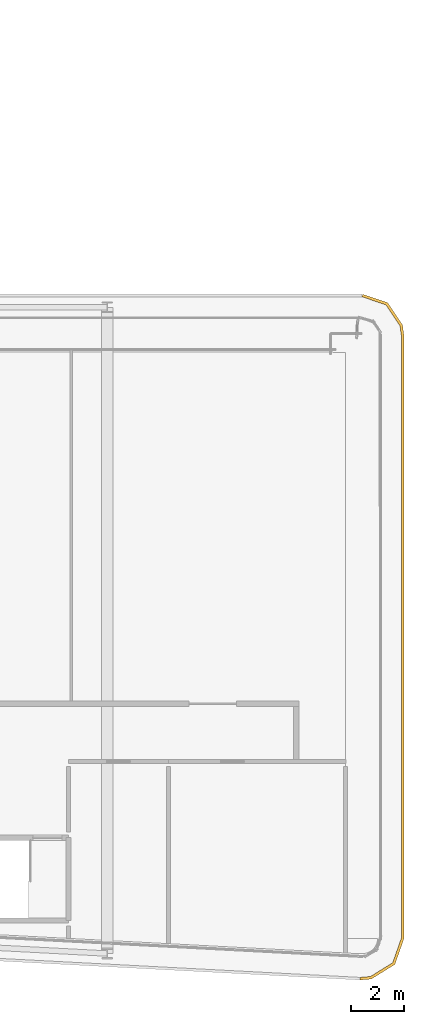
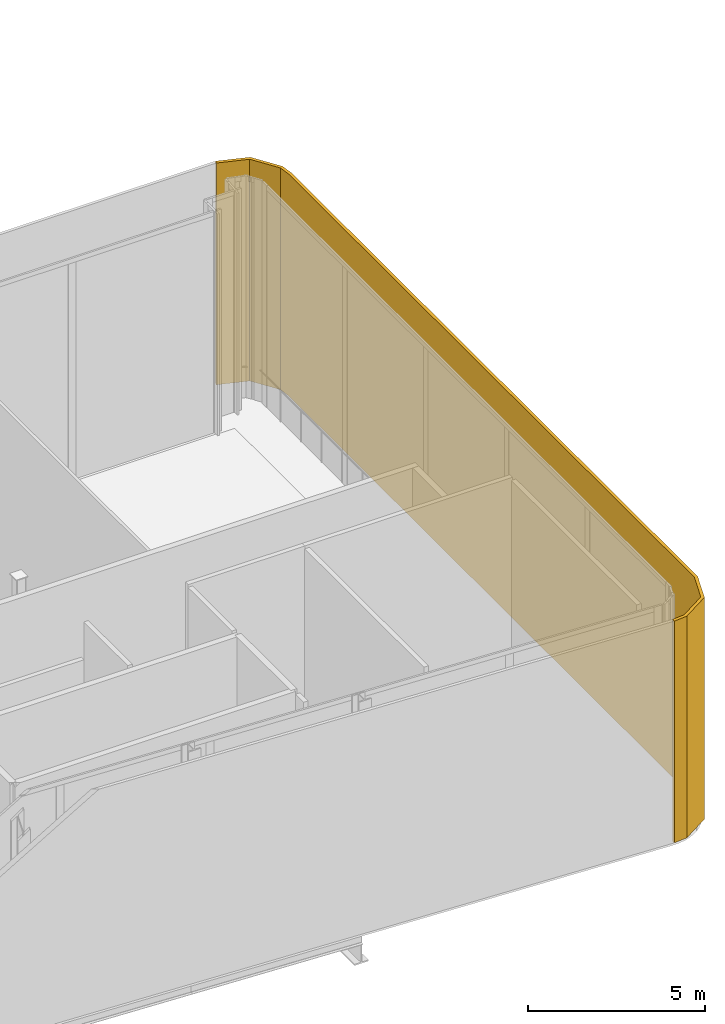
# One storey, part 38 of 38: 1 shading device.
"""IFC4 building model written with IfcOpenShell, lengths in metres."""

from ifc_helpers import new_model, si_unit, direction, frame, origin, place, context, subcontext, project, spatial, polyline, outline, extrude, material, layer, layer_set, type_object, element, save


model = new_model("IFC4")

# Units and contexts
model_context = context("Model", 3, precision=1e-05, world=origin(), true_north=direction((0.0, 1.0)))
body_context = subcontext(model_context, "Body", "Model", "MODEL_VIEW")
ifc_project = project(units=[si_unit("LENGTHUNIT", "METRE"), si_unit("AREAUNIT", "SQUARE_METRE"), si_unit("VOLUMEUNIT", "CUBIC_METRE"), si_unit("PLANEANGLEUNIT", "RADIAN"), si_unit("MASSUNIT", "GRAM", prefix="KILO")], contexts=[model_context])

# Site, building, storey
site_placement = place(None, origin())
site = spatial("IfcSite", under=ifc_project, at=site_placement, CompositionType="ELEMENT")
building_placement = place(site_placement, origin())
building = spatial("IfcBuilding", under=site, at=building_placement, Name="Kheshtan School and Residences Tower", CompositionType="ELEMENT")
storey_placement = place(building_placement, frame((0.0, 0.0, 203.300048828125)))
storey = spatial("IfcBuildingStorey", under=building, at=storey_placement, Name="L48", CompositionType="ELEMENT", Elevation=203.300048828125)

# Shading device
ifc_material = material(Name="Terracotta baguette, extruded ceramic", Category="masonry")
ifc_layer = layer(ifc_material, 0.10009765625)
ifc_layer_set = layer_set([ifc_layer], Name="Ledge screen, terracotta baguettes")
shading_device_type = type_object("IfcShadingDeviceType", Name="Ledge screen, terracotta baguettes", PredefinedType="USERDEFINED", material=ifc_layer_set)
shading_device_placement = place(storey_placement, origin())
element("IfcShadingDevice", 1, at=shading_device_placement, inside=storey, type_object=shading_device_type, Name="Screen L48 4", ObjectType="BAGUETTE", PredefinedType="USERDEFINED", context=body_context, shape_type="SweptSolid", body=[
    extrude(outline(polyline([(100.5, 46.0), (101.4130859375, 45.68994140625), (101.948974609375, 44.887939453125), (102.0, 44.5), (102.0, 21.5810546875), (101.669921875, 20.64208984375), (100.823974609375, 20.116943359375), (100.4208984375, 20.0830078125), (100.428955078125, 19.98291015625), (100.85595703125, 20.01904296875), (101.7529296875, 20.575927734375), (102.10009765625, 21.56396484375), (102.10009765625, 44.507080078125), (102.044921875, 44.924072265625), (101.47705078125, 45.77392578125), (100.531982421875, 46.094970703125), (100.5, 46.0)])), origin(), (0.0, 0.0, 1.0), 7.64990234375),
])

save(model, "model.ifc")
